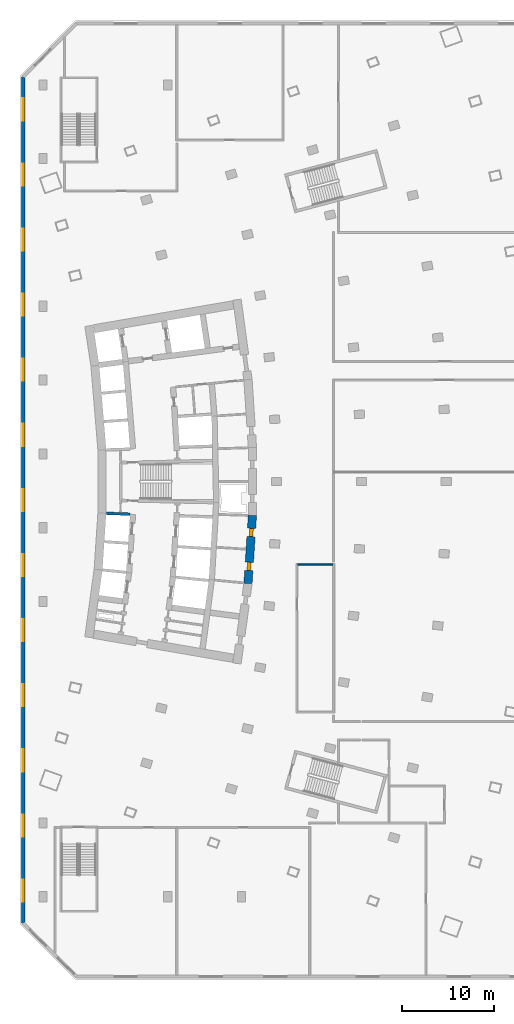
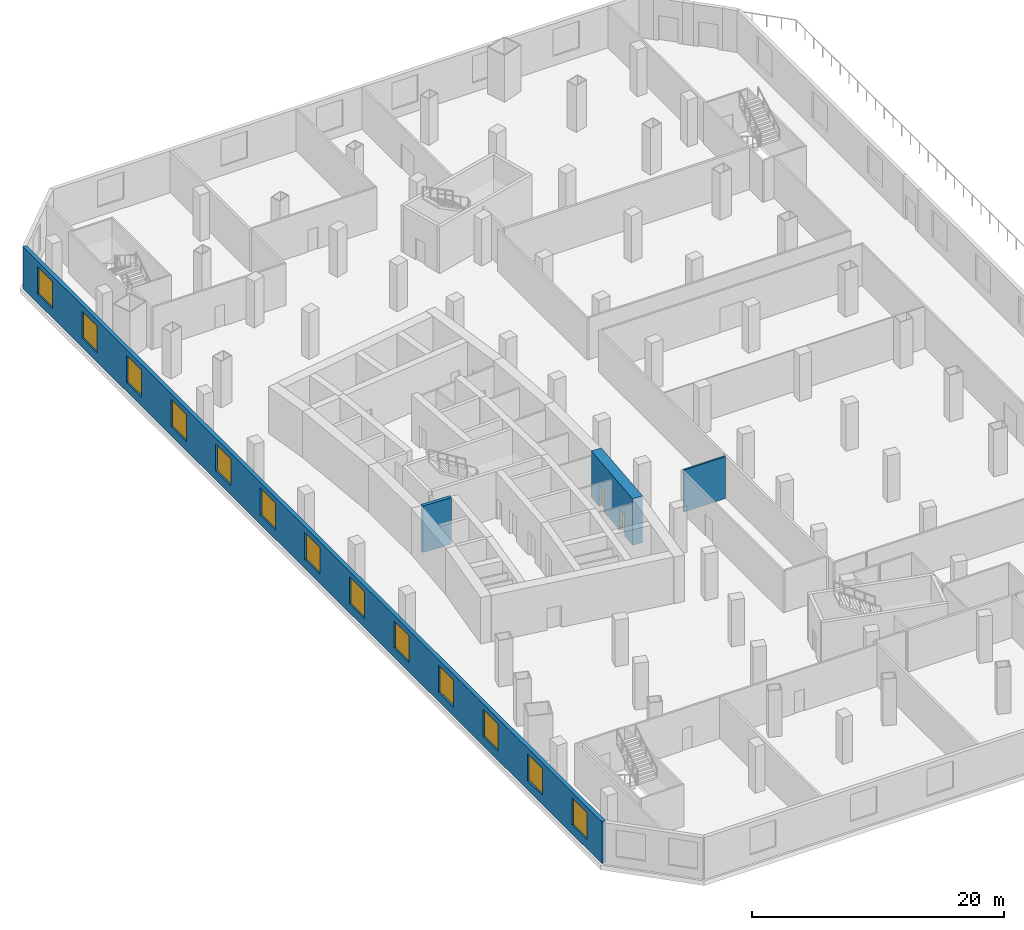
# One storey, part 4 of 14: 13 windows, 4 walls, 2 doors, 15 openings.
"""IFC4 building model written with IfcOpenShell, lengths in metres."""

from ifc_helpers import new_model, si_unit, direction, frame, frame_2d, origin, place, context, subcontext, project, spatial, rectangle, extrude, material, layer, layer_set, type_object, element, fill, save


model = new_model("IFC4")

# Units and contexts
model_context = context("Model", 3, precision=1e-05, world=origin(), true_north=direction((0.0, 1.0)))
body_context = subcontext(model_context, "Body", "Model", "MODEL_VIEW")
ifc_project = project(units=[si_unit("LENGTHUNIT", "METRE"), si_unit("AREAUNIT", "SQUARE_METRE"), si_unit("VOLUMEUNIT", "CUBIC_METRE"), si_unit("PLANEANGLEUNIT", "RADIAN"), si_unit("MASSUNIT", "GRAM", prefix="KILO")], contexts=[model_context])

# Site, building, storey
site_placement = place(None, origin())
site = spatial("IfcSite", under=ifc_project, at=site_placement, CompositionType="ELEMENT")
building_placement = place(site_placement, origin())
building = spatial("IfcBuilding", under=site, at=building_placement, Name="Alderwake Tower", CompositionType="ELEMENT")
storey_placement = place(building_placement, frame((0.0, 0.0, 23.0)))
storey = spatial("IfcBuildingStorey", under=building, at=storey_placement, Name="L04", CompositionType="ELEMENT", Elevation=23.0)

# Wall, openings, doors
ifc_material_1 = material(Name="Concrete C70/85", Category="concrete")
ifc_layer_1 = layer(ifc_material_1, 0.89990234375)
ifc_layer_set_1 = layer_set([ifc_layer_1], Name="Core wall outer 900 C70-85")
wall_type_1 = type_object("IfcWallType", Name="Core wall outer 900 C70-85", PredefinedType="SHEAR", material=ifc_layer_set_1)
wall_1_placement = place(storey_placement, frame((33.191162109375, 57.33349609375, 0.0), z_axis=(0.0, 0.0, 1.0), x_axis=(-0.064976219143, -0.997886812693, 0.0)))
wall_1 = element("IfcWall", 1, at=wall_1_placement, inside=storey, type_object=wall_type_1, Name="Core wall CW.011", PredefinedType="SHEAR", context=body_context, shape_type="SweptSolid", body=[
    extrude(rectangle(XDim=7.39453125, YDim=0.89990234375, at=frame_2d((3.697265625, 0.0))), origin(), (0.0, 0.0, 1.0), 4.5),
])
opening_1_placement = place(wall_1_placement, frame((5.087646484375, 0.0, 0.0)))
opening_1 = element("IfcOpeningElement", 2, at=opening_1_placement, cuts=wall_1, Name="Opening C027", PredefinedType="OPENING", context=body_context, shape_type="SweptSolid", body=[
    extrude(rectangle(XDim=0.89990234375, YDim=2.10009765625, at=frame_2d((0.449951171875, 1.050048828125))), frame((0.0, 0.4599609375, 0.0), z_axis=(0.0, -1.0, 0.0), x_axis=(1.0, 0.0, 0.0)), (0.0, 0.0, 1.0), 0.919921875),
])
opening_2_placement = place(wall_1_placement, frame((1.405517578125, 0.0, 0.0)))
opening_2 = element("IfcOpeningElement", 3, at=opening_2_placement, cuts=wall_1, Name="Opening C029", PredefinedType="OPENING", context=body_context, shape_type="SweptSolid", body=[
    extrude(rectangle(XDim=0.89990234375, YDim=2.10009765625, at=frame_2d((0.449951171875, 1.050048828125))), frame((0.0, 0.4599609375, 0.0), z_axis=(0.0, -1.0, 0.0), x_axis=(1.0, 0.0, 0.0)), (0.0, 0.0, 1.0), 0.919921875),
])
ifc_material_2 = material(Name="Painted steel leaf", Category="steel")
door_type = type_object("IfcDoorType", Name="Core room door 900", OperationType="SINGLE_SWING_LEFT", PredefinedType="DOOR", material=ifc_material_2)
door_1_placement = place(opening_1_placement, origin())
door_1 = element("IfcDoor", 4, at=door_1_placement, inside=storey, type_object=door_type, Name="Room door", OperationType="SINGLE_SWING_RIGHT", OverallHeight=2.10009765625, OverallWidth=0.89990234375, PredefinedType="DOOR", context=body_context, shape_type="SweptSolid", body=[
    extrude(rectangle(XDim=0.89990234375, YDim=2.10009765625, at=frame_2d((0.449951171875, 1.050048828125))), frame((0.0, 0.199951171875, 0.0), z_axis=(0.0, -1.0, 0.0), x_axis=(1.0, 0.0, 0.0)), (0.0, 0.0, 1.0), 0.39990234375),
])
fill(opening_1, door_1)
door_2_placement = place(opening_2_placement, origin())
door_2 = element("IfcDoor", 5, at=door_2_placement, inside=storey, type_object=door_type, Name="Room door", OperationType="SINGLE_SWING_LEFT", OverallHeight=2.10009765625, OverallWidth=0.89990234375, PredefinedType="DOOR", context=body_context, shape_type="SweptSolid", body=[
    extrude(rectangle(XDim=0.89990234375, YDim=2.10009765625, at=frame_2d((0.449951171875, 1.050048828125))), frame((0.0, 0.199951171875, 0.0), z_axis=(0.0, -1.0, 0.0), x_axis=(1.0, 0.0, 0.0)), (0.0, 0.0, 1.0), 0.39990234375),
])
fill(opening_2, door_2)

# Walls
ifc_material_3 = material(Name="Concrete C70/85", Category="concrete")
ifc_layer_2 = layer(ifc_material_3, 0.300048828125)
ifc_layer_set_2 = layer_set([ifc_layer_2], Name="Core wall shaft 300 C70-85")
wall_type_2 = type_object("IfcWallType", Name="Core wall shaft 300 C70-85", PredefinedType="SHEAR", material=ifc_layer_set_2)
wall_2_placement = place(storey_placement, frame((17.369140625, 57.553466796875, 0.0), z_axis=(0.0, 0.0, 1.0), x_axis=(0.99937189907, -0.035437372217, 0.0)))
element("IfcWall", 6, at=wall_2_placement, inside=storey, type_object=wall_type_2, Name="Core wall CW.076", PredefinedType="SHEAR", context=body_context, shape_type="SweptSolid", body=[
    extrude(rectangle(XDim=2.56982421875, YDim=0.300048828125, at=frame_2d((1.284912109375, 0.0))), origin(), (0.0, 0.0, 1.0), 4.5),
])
ifc_material_4 = material(Name="Gypsum board on metal studs, rated")
ifc_layer_3 = layer(ifc_material_4, 0.159912109375)
ifc_layer_set_3 = layer_set([ifc_layer_3], Name="Corridor wall 160")
wall_type_3 = type_object("IfcWallType", Name="Corridor wall 160", PredefinedType="PARTITIONING", material=ifc_layer_set_3)
wall_3_placement = place(storey_placement, frame((38.0810546875, 51.9990234375, 0.0), z_axis=(0.0, 0.0, 1.0), x_axis=(1.0, 0.0, 0.0)))
element("IfcWall", 7, at=wall_3_placement, inside=storey, type_object=wall_type_3, Name="WL/L04/W34", PredefinedType="PARTITIONING", context=body_context, shape_type="SweptSolid", body=[
    extrude(rectangle(XDim=3.81884765625, YDim=0.159912109375, at=frame_2d((1.909423828125, 0.0))), origin(), (0.0, 0.0, 1.0), 4.050048828125),
])

# Wall, openings, windows
ifc_material_5 = material(Name="Precast concrete C50/60 spandrel panel", Category="concrete")
ifc_layer_4 = layer(ifc_material_5, 0.35009765625)
ifc_layer_set_4 = layer_set([ifc_layer_4], Name="External wall EW4 Precast concrete C50/60 podium")
wall_type_4 = type_object("IfcWallType", Name="External wall EW4 Precast concrete C50/60 podium", PredefinedType="SOLIDWALL", material=ifc_layer_set_4)
wall_4_placement = place(storey_placement, frame((8.35009765625, 104.85498046875, 0.0), z_axis=(0.0, 0.0, 1.0), x_axis=(0.0, -1.0, 0.0)))
wall_4 = element("IfcWall", 8, at=wall_4_placement, inside=storey, type_object=wall_type_4, Name="External wall 15", PredefinedType="SOLIDWALL", context=body_context, shape_type="SweptSolid", body=[
    extrude(rectangle(XDim=91.72509765625, YDim=0.35009765625, at=frame_2d((45.862548828125, 0.0))), origin(), (0.0, 0.0, 1.0), 4.050048828125),
])
opening_3_placement = place(wall_4_placement, frame((2.327880859375, 0.0, 0.89990234375)))
opening_3 = element("IfcOpeningElement", 9, at=opening_3_placement, cuts=wall_4, Name="Opening W6", PredefinedType="OPENING", context=body_context, shape_type="SweptSolid", body=[
    extrude(rectangle(XDim=2.39990234375, YDim=2.60009765625, at=frame_2d((1.199951171875, 1.300048828125))), frame((0.0, 0.18505859375, 0.0), z_axis=(0.0, -1.0, 0.0), x_axis=(1.0, 0.0, 0.0)), (0.0, 0.0, 1.0), 0.3701171875),
])
opening_4_placement = place(wall_4_placement, frame((9.3837890625, 0.0, 0.89990234375)))
opening_4 = element("IfcOpeningElement", 10, at=opening_4_placement, cuts=wall_4, Name="Opening W6", PredefinedType="OPENING", context=body_context, shape_type="SweptSolid", body=[
    extrude(rectangle(XDim=2.39990234375, YDim=2.60009765625, at=frame_2d((1.199951171875, 1.300048828125))), frame((0.0, 0.18505859375, 0.0), z_axis=(0.0, -1.0, 0.0), x_axis=(1.0, 0.0, 0.0)), (0.0, 0.0, 1.0), 0.3701171875),
])
opening_5_placement = place(wall_4_placement, frame((16.439453125, 0.0, 0.89990234375)))
opening_5 = element("IfcOpeningElement", 11, at=opening_5_placement, cuts=wall_4, Name="Opening W6", PredefinedType="OPENING", context=body_context, shape_type="SweptSolid", body=[
    extrude(rectangle(XDim=2.39990234375, YDim=2.60009765625, at=frame_2d((1.199951171875, 1.300048828125))), frame((0.0, 0.18505859375, 0.0), z_axis=(0.0, -1.0, 0.0), x_axis=(1.0, 0.0, 0.0)), (0.0, 0.0, 1.0), 0.3701171875),
])
opening_6_placement = place(wall_4_placement, frame((23.4951171875, 0.0, 0.89990234375)))
opening_6 = element("IfcOpeningElement", 12, at=opening_6_placement, cuts=wall_4, Name="Opening W6", PredefinedType="OPENING", context=body_context, shape_type="SweptSolid", body=[
    extrude(rectangle(XDim=2.39990234375, YDim=2.60009765625, at=frame_2d((1.199951171875, 1.300048828125))), frame((0.0, 0.18505859375, 0.0), z_axis=(0.0, -1.0, 0.0), x_axis=(1.0, 0.0, 0.0)), (0.0, 0.0, 1.0), 0.3701171875),
])
opening_7_placement = place(wall_4_placement, frame((30.551025390625, 0.0, 0.89990234375)))
opening_7 = element("IfcOpeningElement", 13, at=opening_7_placement, cuts=wall_4, Name="Opening W6", PredefinedType="OPENING", context=body_context, shape_type="SweptSolid", body=[
    extrude(rectangle(XDim=2.39990234375, YDim=2.60009765625, at=frame_2d((1.199951171875, 1.300048828125))), frame((0.0, 0.18505859375, 0.0), z_axis=(0.0, -1.0, 0.0), x_axis=(1.0, 0.0, 0.0)), (0.0, 0.0, 1.0), 0.3701171875),
])
opening_8_placement = place(wall_4_placement, frame((37.606689453125, 0.0, 0.89990234375)))
opening_8 = element("IfcOpeningElement", 14, at=opening_8_placement, cuts=wall_4, Name="Opening W6", PredefinedType="OPENING", context=body_context, shape_type="SweptSolid", body=[
    extrude(rectangle(XDim=2.39990234375, YDim=2.60009765625, at=frame_2d((1.199951171875, 1.300048828125))), frame((0.0, 0.18505859375, 0.0), z_axis=(0.0, -1.0, 0.0), x_axis=(1.0, 0.0, 0.0)), (0.0, 0.0, 1.0), 0.3701171875),
])
opening_9_placement = place(wall_4_placement, frame((44.66259765625, 0.0, 0.89990234375)))
opening_9 = element("IfcOpeningElement", 15, at=opening_9_placement, cuts=wall_4, Name="Opening W6", PredefinedType="OPENING", context=body_context, shape_type="SweptSolid", body=[
    extrude(rectangle(XDim=2.39990234375, YDim=2.60009765625, at=frame_2d((1.199951171875, 1.300048828125))), frame((0.0, 0.18505859375, 0.0), z_axis=(0.0, -1.0, 0.0), x_axis=(1.0, 0.0, 0.0)), (0.0, 0.0, 1.0), 0.3701171875),
])
opening_10_placement = place(wall_4_placement, frame((51.71826171875, 0.0, 0.89990234375)))
opening_10 = element("IfcOpeningElement", 16, at=opening_10_placement, cuts=wall_4, Name="Opening W6", PredefinedType="OPENING", context=body_context, shape_type="SweptSolid", body=[
    extrude(rectangle(XDim=2.39990234375, YDim=2.60009765625, at=frame_2d((1.199951171875, 1.300048828125))), frame((0.0, 0.18505859375, 0.0), z_axis=(0.0, -1.0, 0.0), x_axis=(1.0, 0.0, 0.0)), (0.0, 0.0, 1.0), 0.3701171875),
])
opening_11_placement = place(wall_4_placement, frame((58.774169921875, 0.0, 0.89990234375)))
opening_11 = element("IfcOpeningElement", 17, at=opening_11_placement, cuts=wall_4, Name="Opening W6", PredefinedType="OPENING", context=body_context, shape_type="SweptSolid", body=[
    extrude(rectangle(XDim=2.39990234375, YDim=2.60009765625, at=frame_2d((1.199951171875, 1.300048828125))), frame((0.0, 0.18505859375, 0.0), z_axis=(0.0, -1.0, 0.0), x_axis=(1.0, 0.0, 0.0)), (0.0, 0.0, 1.0), 0.3701171875),
])
opening_12_placement = place(wall_4_placement, frame((65.829833984375, 0.0, 0.89990234375)))
opening_12 = element("IfcOpeningElement", 18, at=opening_12_placement, cuts=wall_4, Name="Opening W6", PredefinedType="OPENING", context=body_context, shape_type="SweptSolid", body=[
    extrude(rectangle(XDim=2.39990234375, YDim=2.60009765625, at=frame_2d((1.199951171875, 1.300048828125))), frame((0.0, 0.18505859375, 0.0), z_axis=(0.0, -1.0, 0.0), x_axis=(1.0, 0.0, 0.0)), (0.0, 0.0, 1.0), 0.3701171875),
])
opening_13_placement = place(wall_4_placement, frame((72.885498046875, 0.0, 0.89990234375)))
opening_13 = element("IfcOpeningElement", 19, at=opening_13_placement, cuts=wall_4, Name="Opening W6", PredefinedType="OPENING", context=body_context, shape_type="SweptSolid", body=[
    extrude(rectangle(XDim=2.39990234375, YDim=2.60009765625, at=frame_2d((1.199951171875, 1.300048828125))), frame((0.0, 0.18505859375, 0.0), z_axis=(0.0, -1.0, 0.0), x_axis=(1.0, 0.0, 0.0)), (0.0, 0.0, 1.0), 0.3701171875),
])
opening_14_placement = place(wall_4_placement, frame((79.94140625, 0.0, 0.89990234375)))
opening_14 = element("IfcOpeningElement", 20, at=opening_14_placement, cuts=wall_4, Name="Opening W6", PredefinedType="OPENING", context=body_context, shape_type="SweptSolid", body=[
    extrude(rectangle(XDim=2.39990234375, YDim=2.60009765625, at=frame_2d((1.199951171875, 1.300048828125))), frame((0.0, 0.18505859375, 0.0), z_axis=(0.0, -1.0, 0.0), x_axis=(1.0, 0.0, 0.0)), (0.0, 0.0, 1.0), 0.3701171875),
])
opening_15_placement = place(wall_4_placement, frame((86.997314453125, 0.0, 0.89990234375)))
opening_15 = element("IfcOpeningElement", 21, at=opening_15_placement, cuts=wall_4, Name="Opening W6", PredefinedType="OPENING", context=body_context, shape_type="SweptSolid", body=[
    extrude(rectangle(XDim=2.39990234375, YDim=2.60009765625, at=frame_2d((1.199951171875, 1.300048828125))), frame((0.0, 0.18505859375, 0.0), z_axis=(0.0, -1.0, 0.0), x_axis=(1.0, 0.0, 0.0)), (0.0, 0.0, 1.0), 0.3701171875),
])
ifc_material_6 = material(Name="Bronze tinted glass in aluminium frame", Category="aluminium")
window_type = type_object("IfcWindowType", Name="Window W6 podium", PartitioningType="DOUBLE_PANEL_VERTICAL", PredefinedType="WINDOW", material=ifc_material_6)
window_1_placement = place(opening_3_placement, origin())
window_1 = element("IfcWindow", 22, at=window_1_placement, inside=storey, type_object=window_type, Name="Window W6 podium", OverallHeight=2.60009765625, OverallWidth=2.39990234375, PartitioningType="DOUBLE_PANEL_VERTICAL", PredefinedType="WINDOW", context=body_context, shape_type="SweptSolid", body=[
    extrude(rectangle(XDim=2.39990234375, YDim=2.60009765625, at=frame_2d((1.199951171875, 1.300048828125))), frame((0.0, 0.030029296875, 0.0), z_axis=(0.0, -1.0, 0.0), x_axis=(1.0, 0.0, 0.0)), (0.0, 0.0, 1.0), 0.06005859375),
])
fill(opening_3, window_1)
window_2_placement = place(opening_4_placement, origin())
window_2 = element("IfcWindow", 23, at=window_2_placement, inside=storey, type_object=window_type, Name="Window W6 podium", OverallHeight=2.60009765625, OverallWidth=2.39990234375, PartitioningType="DOUBLE_PANEL_VERTICAL", PredefinedType="WINDOW", context=body_context, shape_type="SweptSolid", body=[
    extrude(rectangle(XDim=2.39990234375, YDim=2.60009765625, at=frame_2d((1.199951171875, 1.300048828125))), frame((0.0, 0.030029296875, 0.0), z_axis=(0.0, -1.0, 0.0), x_axis=(1.0, 0.0, 0.0)), (0.0, 0.0, 1.0), 0.06005859375),
])
fill(opening_4, window_2)
window_3_placement = place(opening_5_placement, origin())
window_3 = element("IfcWindow", 24, at=window_3_placement, inside=storey, type_object=window_type, Name="Window W6 podium", OverallHeight=2.60009765625, OverallWidth=2.39990234375, PartitioningType="DOUBLE_PANEL_VERTICAL", PredefinedType="WINDOW", context=body_context, shape_type="SweptSolid", body=[
    extrude(rectangle(XDim=2.39990234375, YDim=2.60009765625, at=frame_2d((1.199951171875, 1.300048828125))), frame((0.0, 0.030029296875, 0.0), z_axis=(0.0, -1.0, 0.0), x_axis=(1.0, 0.0, 0.0)), (0.0, 0.0, 1.0), 0.06005859375),
])
fill(opening_5, window_3)
window_4_placement = place(opening_6_placement, origin())
window_4 = element("IfcWindow", 25, at=window_4_placement, inside=storey, type_object=window_type, Name="Window W6 podium", OverallHeight=2.60009765625, OverallWidth=2.39990234375, PartitioningType="DOUBLE_PANEL_VERTICAL", PredefinedType="WINDOW", context=body_context, shape_type="SweptSolid", body=[
    extrude(rectangle(XDim=2.39990234375, YDim=2.60009765625, at=frame_2d((1.199951171875, 1.300048828125))), frame((0.0, 0.030029296875, 0.0), z_axis=(0.0, -1.0, 0.0), x_axis=(1.0, 0.0, 0.0)), (0.0, 0.0, 1.0), 0.06005859375),
])
fill(opening_6, window_4)
window_5_placement = place(opening_7_placement, origin())
window_5 = element("IfcWindow", 26, at=window_5_placement, inside=storey, type_object=window_type, Name="Window W6 podium", OverallHeight=2.60009765625, OverallWidth=2.39990234375, PartitioningType="DOUBLE_PANEL_VERTICAL", PredefinedType="WINDOW", context=body_context, shape_type="SweptSolid", body=[
    extrude(rectangle(XDim=2.39990234375, YDim=2.60009765625, at=frame_2d((1.199951171875, 1.300048828125))), frame((0.0, 0.030029296875, 0.0), z_axis=(0.0, -1.0, 0.0), x_axis=(1.0, 0.0, 0.0)), (0.0, 0.0, 1.0), 0.06005859375),
])
fill(opening_7, window_5)
window_6_placement = place(opening_8_placement, origin())
window_6 = element("IfcWindow", 27, at=window_6_placement, inside=storey, type_object=window_type, Name="Window W6 podium", OverallHeight=2.60009765625, OverallWidth=2.39990234375, PartitioningType="DOUBLE_PANEL_VERTICAL", PredefinedType="WINDOW", context=body_context, shape_type="SweptSolid", body=[
    extrude(rectangle(XDim=2.39990234375, YDim=2.60009765625, at=frame_2d((1.199951171875, 1.300048828125))), frame((0.0, 0.030029296875, 0.0), z_axis=(0.0, -1.0, 0.0), x_axis=(1.0, 0.0, 0.0)), (0.0, 0.0, 1.0), 0.06005859375),
])
fill(opening_8, window_6)
window_7_placement = place(opening_9_placement, origin())
window_7 = element("IfcWindow", 28, at=window_7_placement, inside=storey, type_object=window_type, Name="Window W6 podium", OverallHeight=2.60009765625, OverallWidth=2.39990234375, PartitioningType="DOUBLE_PANEL_VERTICAL", PredefinedType="WINDOW", context=body_context, shape_type="SweptSolid", body=[
    extrude(rectangle(XDim=2.39990234375, YDim=2.60009765625, at=frame_2d((1.199951171875, 1.300048828125))), frame((0.0, 0.030029296875, 0.0), z_axis=(0.0, -1.0, 0.0), x_axis=(1.0, 0.0, 0.0)), (0.0, 0.0, 1.0), 0.06005859375),
])
fill(opening_9, window_7)
window_8_placement = place(opening_10_placement, origin())
window_8 = element("IfcWindow", 29, at=window_8_placement, inside=storey, type_object=window_type, Name="Window W6 podium", OverallHeight=2.60009765625, OverallWidth=2.39990234375, PartitioningType="DOUBLE_PANEL_VERTICAL", PredefinedType="WINDOW", context=body_context, shape_type="SweptSolid", body=[
    extrude(rectangle(XDim=2.39990234375, YDim=2.60009765625, at=frame_2d((1.199951171875, 1.300048828125))), frame((0.0, 0.030029296875, 0.0), z_axis=(0.0, -1.0, 0.0), x_axis=(1.0, 0.0, 0.0)), (0.0, 0.0, 1.0), 0.06005859375),
])
fill(opening_10, window_8)
window_9_placement = place(opening_11_placement, origin())
window_9 = element("IfcWindow", 30, at=window_9_placement, inside=storey, type_object=window_type, Name="Window W6 podium", OverallHeight=2.60009765625, OverallWidth=2.39990234375, PartitioningType="DOUBLE_PANEL_VERTICAL", PredefinedType="WINDOW", context=body_context, shape_type="SweptSolid", body=[
    extrude(rectangle(XDim=2.39990234375, YDim=2.60009765625, at=frame_2d((1.199951171875, 1.300048828125))), frame((0.0, 0.030029296875, 0.0), z_axis=(0.0, -1.0, 0.0), x_axis=(1.0, 0.0, 0.0)), (0.0, 0.0, 1.0), 0.06005859375),
])
fill(opening_11, window_9)
window_10_placement = place(opening_12_placement, origin())
window_10 = element("IfcWindow", 31, at=window_10_placement, inside=storey, type_object=window_type, Name="Window W6 podium", OverallHeight=2.60009765625, OverallWidth=2.39990234375, PartitioningType="DOUBLE_PANEL_VERTICAL", PredefinedType="WINDOW", context=body_context, shape_type="SweptSolid", body=[
    extrude(rectangle(XDim=2.39990234375, YDim=2.60009765625, at=frame_2d((1.199951171875, 1.300048828125))), frame((0.0, 0.030029296875, 0.0), z_axis=(0.0, -1.0, 0.0), x_axis=(1.0, 0.0, 0.0)), (0.0, 0.0, 1.0), 0.06005859375),
])
fill(opening_12, window_10)
window_11_placement = place(opening_13_placement, origin())
window_11 = element("IfcWindow", 32, at=window_11_placement, inside=storey, type_object=window_type, Name="Window W6 podium", OverallHeight=2.60009765625, OverallWidth=2.39990234375, PartitioningType="DOUBLE_PANEL_VERTICAL", PredefinedType="WINDOW", context=body_context, shape_type="SweptSolid", body=[
    extrude(rectangle(XDim=2.39990234375, YDim=2.60009765625, at=frame_2d((1.199951171875, 1.300048828125))), frame((0.0, 0.030029296875, 0.0), z_axis=(0.0, -1.0, 0.0), x_axis=(1.0, 0.0, 0.0)), (0.0, 0.0, 1.0), 0.06005859375),
])
fill(opening_13, window_11)
window_12_placement = place(opening_14_placement, origin())
window_12 = element("IfcWindow", 33, at=window_12_placement, inside=storey, type_object=window_type, Name="Window W6 podium", OverallHeight=2.60009765625, OverallWidth=2.39990234375, PartitioningType="DOUBLE_PANEL_VERTICAL", PredefinedType="WINDOW", context=body_context, shape_type="SweptSolid", body=[
    extrude(rectangle(XDim=2.39990234375, YDim=2.60009765625, at=frame_2d((1.199951171875, 1.300048828125))), frame((0.0, 0.030029296875, 0.0), z_axis=(0.0, -1.0, 0.0), x_axis=(1.0, 0.0, 0.0)), (0.0, 0.0, 1.0), 0.06005859375),
])
fill(opening_14, window_12)
window_13_placement = place(opening_15_placement, origin())
window_13 = element("IfcWindow", 34, at=window_13_placement, inside=storey, type_object=window_type, Name="Window W6 podium", OverallHeight=2.60009765625, OverallWidth=2.39990234375, PartitioningType="DOUBLE_PANEL_VERTICAL", PredefinedType="WINDOW", context=body_context, shape_type="SweptSolid", body=[
    extrude(rectangle(XDim=2.39990234375, YDim=2.60009765625, at=frame_2d((1.199951171875, 1.300048828125))), frame((0.0, 0.030029296875, 0.0), z_axis=(0.0, -1.0, 0.0), x_axis=(1.0, 0.0, 0.0)), (0.0, 0.0, 1.0), 0.06005859375),
])
fill(opening_15, window_13)

save(model, "model.ifc")
